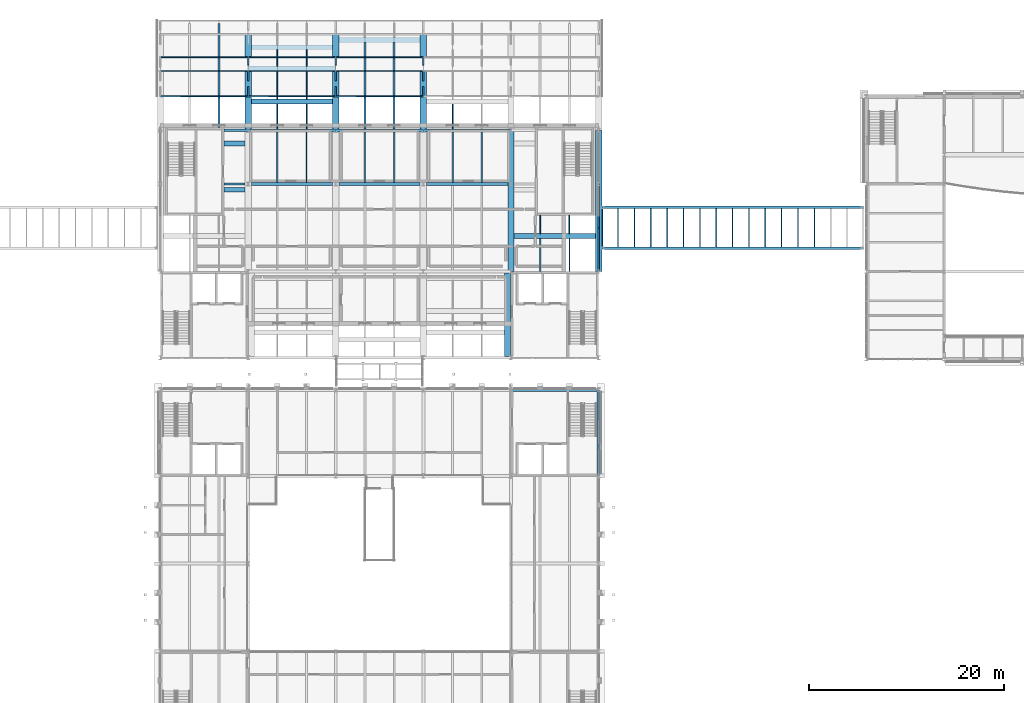
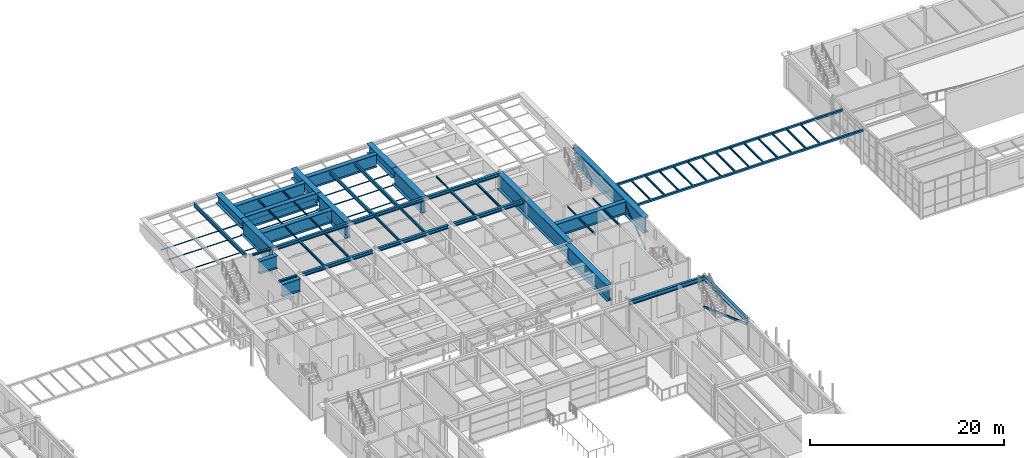
# One storey, part 68 of 153: 60 beams, 23 members.
"""IFC4 building model written with IfcOpenShell, lengths in metres."""

from ifc_helpers import new_model, si_unit, direction, frame, origin, origin_2d, place, context, subcontext, project, spatial, hollow_rectangle, i_section, extrude, material, material_profile, profile_set, type_object, element, save


model = new_model("IFC4")

# Units and contexts
model_context = context("Model", 3, precision=1e-05, world=origin(), true_north=direction((0.0, 1.0)))
body_context = subcontext(model_context, "Body", "Model", "MODEL_VIEW")
ifc_project = project(units=[si_unit("LENGTHUNIT", "METRE"), si_unit("AREAUNIT", "SQUARE_METRE"), si_unit("VOLUMEUNIT", "CUBIC_METRE"), si_unit("PLANEANGLEUNIT", "RADIAN"), si_unit("MASSUNIT", "GRAM", prefix="KILO")], contexts=[model_context])

# Site, building, storey
site_placement = place(None, origin())
site = spatial("IfcSite", under=ifc_project, at=site_placement, CompositionType="ELEMENT")
building_placement = place(site_placement, origin())
building = spatial("IfcBuilding", under=site, at=building_placement, Name="Kallimachos Central Library", CompositionType="ELEMENT")
storey_placement = place(building_placement, frame((0.0, 0.0, 5.39990234375)))
storey = spatial("IfcBuildingStorey", under=building, at=storey_placement, Name="L01", CompositionType="ELEMENT", Elevation=5.39990234375)

# Beams
ifc_material_1 = material(Name="Steel S355K2", Category="steel")
ifc_material_profile_1 = material_profile(ifc_material_1, i_section(OverallWidth=0.64990234375, OverallDepth=1.199951171875, WebThickness=0.02001953125, FlangeThickness=0.054931640625, at=origin_2d()), Name="PG 1200x650-20/55")
ifc_profile_set_1 = profile_set([ifc_material_profile_1], Name="Steel S355K2")
beam_type_1 = type_object("IfcBeamType", Name="Cantilever girder PG 1200x650-20/55", PredefinedType="BEAM", material=ifc_profile_set_1)
for number, where, z_axis, x_axis, name in (
    (1, (74.5, 116.60009765625, 3.7001953125), (0.0, 1.0, 0.0), (-1.0, 0.0, 0.0), "V1-BEM-L01-027"),
    (2, (83.5, 116.60009765625, 3.7001953125), (0.0, 1.0, 0.0), (-1.0, 0.0, 0.0), "V1-BEM-L01-031"),
    (3, (92.5, 116.60009765625, 3.7001953125), (0.0, 1.0, 0.0), (-1.0, 0.0, 0.0), "V1-BEM-L01-035"),
):
    element("IfcBeam", number, at=place(storey_placement, frame(where, z_axis=z_axis, x_axis=x_axis)), inside=storey, type_object=beam_type_1, Name=name, PredefinedType="BEAM", context=body_context, shape_type="SweptSolid", body=[
        extrude(i_section(OverallWidth=0.64990234375, OverallDepth=1.199951171875, WebThickness=0.02001953125, FlangeThickness=0.054931640625, at=origin_2d()), origin(), (0.0, 0.0, 1.0), 5.199951171875),
    ])
ifc_material_2 = material(Name="Steel S355K2", Category="steel")
ifc_material_profile_2 = material_profile(ifc_material_2, i_section(OverallWidth=0.64990234375, OverallDepth=2.0, WebThickness=0.034912109375, FlangeThickness=0.054931640625, at=origin_2d()), Name="PG 2000x650-35/55")
ifc_profile_set_2 = profile_set([ifc_material_profile_2], Name="Steel S355K2")
beam_type_2 = type_object("IfcBeamType", Name="Cantilever girder PG 2000x650-35/55", PredefinedType="BEAM", material=ifc_profile_set_2)
for number, where, z_axis, x_axis, name in (
    (4, (74.5, 110.5, 3.300048828125), (0.0, 1.0, 0.0), (-1.0, 0.0, 0.0), "V1-BEM-L01-026"),
    (5, (83.5, 110.5, 3.300048828125), (0.0, 1.0, 0.0), (-1.0, 0.0, 0.0), "V1-BEM-L01-030"),
    (6, (92.5, 110.5, 3.300048828125), (0.0, 1.0, 0.0), (-1.0, 0.0, 0.0), "V1-BEM-L01-034"),
):
    element("IfcBeam", number, at=place(storey_placement, frame(where, z_axis=z_axis, x_axis=x_axis)), inside=storey, type_object=beam_type_2, Name=name, PredefinedType="BEAM", context=body_context, shape_type="SweptSolid", body=[
        extrude(i_section(OverallWidth=0.64990234375, OverallDepth=2.0, WebThickness=0.034912109375, FlangeThickness=0.054931640625, at=origin_2d()), origin(), (0.0, 0.0, 1.0), 6.10009765625),
    ])
ifc_material_3 = material(Name="Steel S355J2", Category="steel")
ifc_material_profile_3 = material_profile(ifc_material_3, i_section(OverallWidth=0.239990234375, OverallDepth=0.22998046875, WebThickness=0.007568359375, FlangeThickness=0.011962890625, FilletRadius=0.02099609375, at=origin_2d()), Name="HEA 240")
ifc_profile_set_3 = profile_set([ifc_material_profile_3], Name="Steel S355J2")
beam_type_3 = type_object("IfcBeamType", Name="HEA 240 beam", PredefinedType="BEAM", material=ifc_profile_set_3)
beam_1_placement = place(storey_placement, frame((72.0048828125, 105.0, 4.18505859375), z_axis=(1.0, 0.0, 0.0), x_axis=(0.0, 1.0, 0.0)))
element("IfcBeam", 7, at=beam_1_placement, inside=storey, type_object=beam_type_3, Name="V1-BEM-L01-049", PredefinedType="BEAM", context=body_context, shape_type="SweptSolid", body=[
    extrude(i_section(OverallWidth=0.239990234375, OverallDepth=0.22998046875, WebThickness=0.007568359375, FlangeThickness=0.011962890625, FilletRadius=0.02099609375, at=origin_2d()), origin(), (0.0, 0.0, 1.0), 2.170166015625),
])
beam_2_placement = place(storey_placement, frame((72.0048828125, 110.5, 4.18505859375), z_axis=(1.0, 0.0, 0.0), x_axis=(0.0, 1.0, 0.0)))
element("IfcBeam", 8, at=beam_2_placement, inside=storey, type_object=beam_type_3, Name="V1-BEM-L01-054", PredefinedType="BEAM", context=body_context, shape_type="SweptSolid", body=[
    extrude(i_section(OverallWidth=0.239990234375, OverallDepth=0.22998046875, WebThickness=0.007568359375, FlangeThickness=0.011962890625, FilletRadius=0.02099609375, at=origin_2d()), origin(), (0.0, 0.0, 1.0), 2.4951171875),
])
ifc_material_4 = material(Name="Steel S355J2", Category="steel")
ifc_material_profile_4 = material_profile(ifc_material_4, i_section(OverallWidth=0.300048828125, OverallDepth=0.43994140625, WebThickness=0.011474609375, FlangeThickness=0.02099609375, FilletRadius=0.027099609375, at=origin_2d()), Name="HEA 450")
ifc_profile_set_4 = profile_set([ifc_material_profile_4], Name="Steel S355J2")
beam_type_4 = type_object("IfcBeamType", Name="HEA 450 beam", PredefinedType="BEAM", material=ifc_profile_set_4)
for number, where, z_axis, x_axis, name in (
    (9, (74.824951171875, 105.0, 4.080078125), (1.0, 0.0, 0.0), (0.0, 1.0, 0.0), "V1-BEM-L01-050"),
    (10, (83.824951171875, 105.0, 4.080078125), (1.0, 0.0, 0.0), (0.0, 1.0, 0.0), "V1-BEM-L01-051"),
    (11, (92.824951171875, 105.0, 4.080078125), (1.0, 0.0, 0.0), (0.0, 1.0, 0.0), "V1-BEM-L01-052"),
):
    element("IfcBeam", number, at=place(storey_placement, frame(where, z_axis=z_axis, x_axis=x_axis)), inside=storey, type_object=beam_type_4, Name=name, PredefinedType="BEAM", context=body_context, shape_type="SweptSolid", body=[
        extrude(i_section(OverallWidth=0.300048828125, OverallDepth=0.43994140625, WebThickness=0.011474609375, FlangeThickness=0.02099609375, FilletRadius=0.027099609375, at=origin_2d()), origin(), (0.0, 0.0, 1.0), 8.35009765625),
    ])
for number, where, z_axis, x_axis, name in (
    (12, (74.5, 110.5, 4.080078125), (1.0, 0.0, 0.0), (0.0, 1.0, 0.0), "V1-BEM-L01-055"),
    (13, (83.5, 110.5, 4.080078125), (1.0, 0.0, 0.0), (0.0, 1.0, 0.0), "V1-BEM-L01-056"),
    (14, (92.5, 110.5, 4.080078125), (1.0, 0.0, 0.0), (0.0, 1.0, 0.0), "V1-BEM-L01-057"),
):
    element("IfcBeam", number, at=place(storey_placement, frame(where, z_axis=z_axis, x_axis=x_axis)), inside=storey, type_object=beam_type_4, Name=name, PredefinedType="BEAM", context=body_context, shape_type="SweptSolid", body=[
        extrude(i_section(OverallWidth=0.300048828125, OverallDepth=0.43994140625, WebThickness=0.011474609375, FlangeThickness=0.02099609375, FilletRadius=0.027099609375, at=origin_2d()), origin(), (0.0, 0.0, 1.0), 9.0),
    ])
ifc_material_5 = material(Name="Steel S355J2", Category="steel")
ifc_material_profile_5 = material_profile(ifc_material_5, i_section(OverallWidth=0.300048828125, OverallDepth=0.550048828125, WebThickness=0.014892578125, FlangeThickness=0.029052734375, FilletRadius=0.027099609375, at=origin_2d()), Name="HEB 550")
ifc_profile_set_5 = profile_set([ifc_material_profile_5], Name="Steel S355J2")
beam_type_5 = type_object("IfcBeamType", Name="HEB 550 beam", PredefinedType="BEAM", material=ifc_profile_set_5)
beam_3_placement = place(storey_placement, frame((101.5, 83.85009765625, 4.025146484375), z_axis=(1.0, 0.0, 0.0), x_axis=(0.0, 1.0, 0.0)))
element("IfcBeam", 15, at=beam_3_placement, inside=storey, type_object=beam_type_5, Name="V4-BEM-L01-008", PredefinedType="BEAM", context=body_context, shape_type="SweptSolid", body=[
    extrude(i_section(OverallWidth=0.300048828125, OverallDepth=0.550048828125, WebThickness=0.014892578125, FlangeThickness=0.029052734375, FilletRadius=0.027099609375, at=origin_2d()), origin(), (0.0, 0.0, 1.0), 9.0),
])
beam_4_placement = place(storey_placement, frame((110.5, 75.0, 4.025146484375), z_axis=(0.0, 1.0, 0.0), x_axis=(-1.0, 0.0, 0.0)))
element("IfcBeam", 16, at=beam_4_placement, inside=storey, type_object=beam_type_5, Name="V4-BEM-L01-014", PredefinedType="BEAM", context=body_context, shape_type="SweptSolid", body=[
    extrude(i_section(OverallWidth=0.300048828125, OverallDepth=0.550048828125, WebThickness=0.014892578125, FlangeThickness=0.029052734375, FilletRadius=0.027099609375, at=origin_2d()), origin(), (0.0, 0.0, 1.0), 8.85009765625),
])
ifc_material_6 = material(Name="Steel S355J2", Category="steel")
ifc_material_profile_6 = material_profile(ifc_material_6, i_section(OverallWidth=0.10009765625, OverallDepth=0.199951171875, WebThickness=0.005615234375, FlangeThickness=0.008544921875, FilletRadius=0.011962890625, at=origin_2d()), Name="IPE 200")
ifc_profile_set_6 = profile_set([ifc_material_profile_6], Name="Steel S355J2")
beam_type_6 = type_object("IfcBeamType", Name="IPE 200 beam", PredefinedType="BEAM", material=ifc_profile_set_6)
beam_5_placement = place(storey_placement, frame((77.5, 110.64990234375, 4.2001953125), z_axis=(0.0, 1.0, 0.0), x_axis=(-1.0, 0.0, 0.0)))
element("IfcBeam", 17, at=beam_5_placement, inside=storey, type_object=beam_type_6, Name="V1-BEM-L01-075", PredefinedType="BEAM", context=body_context, shape_type="SweptSolid", body=[
    extrude(i_section(OverallWidth=0.10009765625, OverallDepth=0.199951171875, WebThickness=0.005615234375, FlangeThickness=0.008544921875, FilletRadius=0.011962890625, at=origin_2d()), origin(), (0.0, 0.0, 1.0), 2.552001953125),
])
beam_6_placement = place(storey_placement, frame((77.5, 113.701904296875, 4.2001953125), z_axis=(0.0, 1.0, 0.0), x_axis=(-1.0, 0.0, 0.0)))
element("IfcBeam", 18, at=beam_6_placement, inside=storey, type_object=beam_type_6, Name="V1-BEM-L01-076", PredefinedType="BEAM", context=body_context, shape_type="SweptSolid", body=[
    extrude(i_section(OverallWidth=0.10009765625, OverallDepth=0.199951171875, WebThickness=0.005615234375, FlangeThickness=0.008544921875, FilletRadius=0.011962890625, at=origin_2d()), origin(), (0.0, 0.0, 1.0), 2.906982421875),
])
beam_7_placement = place(storey_placement, frame((77.5, 117.10888671875, 4.2001953125), z_axis=(0.0, 1.0, 0.0), x_axis=(-1.0, 0.0, 0.0)))
element("IfcBeam", 19, at=beam_7_placement, inside=storey, type_object=beam_type_6, Name="V1-BEM-L01-077", PredefinedType="BEAM", context=body_context, shape_type="SweptSolid", body=[
    extrude(i_section(OverallWidth=0.10009765625, OverallDepth=0.199951171875, WebThickness=0.005615234375, FlangeThickness=0.008544921875, FilletRadius=0.011962890625, at=origin_2d()), origin(), (0.0, 0.0, 1.0), 1.6875),
])
beam_8_placement = place(storey_placement, frame((80.5, 110.64990234375, 4.2001953125), z_axis=(0.0, 1.0, 0.0), x_axis=(-1.0, 0.0, 0.0)))
element("IfcBeam", 20, at=beam_8_placement, inside=storey, type_object=beam_type_6, Name="V1-BEM-L01-084", PredefinedType="BEAM", context=body_context, shape_type="SweptSolid", body=[
    extrude(i_section(OverallWidth=0.10009765625, OverallDepth=0.199951171875, WebThickness=0.005615234375, FlangeThickness=0.008544921875, FilletRadius=0.011962890625, at=origin_2d()), origin(), (0.0, 0.0, 1.0), 2.552001953125),
])
beam_9_placement = place(storey_placement, frame((80.5, 113.701904296875, 4.2001953125), z_axis=(0.0, 1.0, 0.0), x_axis=(-1.0, 0.0, 0.0)))
element("IfcBeam", 21, at=beam_9_placement, inside=storey, type_object=beam_type_6, Name="V1-BEM-L01-085", PredefinedType="BEAM", context=body_context, shape_type="SweptSolid", body=[
    extrude(i_section(OverallWidth=0.10009765625, OverallDepth=0.199951171875, WebThickness=0.005615234375, FlangeThickness=0.008544921875, FilletRadius=0.011962890625, at=origin_2d()), origin(), (0.0, 0.0, 1.0), 2.906982421875),
])
beam_10_placement = place(storey_placement, frame((80.5, 117.10888671875, 4.2001953125), z_axis=(0.0, 1.0, 0.0), x_axis=(-1.0, 0.0, 0.0)))
element("IfcBeam", 22, at=beam_10_placement, inside=storey, type_object=beam_type_6, Name="V1-BEM-L01-086", PredefinedType="BEAM", context=body_context, shape_type="SweptSolid", body=[
    extrude(i_section(OverallWidth=0.10009765625, OverallDepth=0.199951171875, WebThickness=0.005615234375, FlangeThickness=0.008544921875, FilletRadius=0.011962890625, at=origin_2d()), origin(), (0.0, 0.0, 1.0), 1.6875),
])
beam_11_placement = place(storey_placement, frame((95.5, 110.64990234375, 4.2001953125), z_axis=(0.0, 1.0, 0.0), x_axis=(-1.0, 0.0, 0.0)))
element("IfcBeam", 23, at=beam_11_placement, inside=storey, type_object=beam_type_6, Name="V1-BEM-L01-105", PredefinedType="BEAM", context=body_context, shape_type="SweptSolid", body=[
    extrude(i_section(OverallWidth=0.10009765625, OverallDepth=0.199951171875, WebThickness=0.005615234375, FlangeThickness=0.008544921875, FilletRadius=0.011962890625, at=origin_2d()), origin(), (0.0, 0.0, 1.0), 2.552001953125),
])
for number, where, z_axis, x_axis, name in (
    (24, (104.5, 99.89111328125, 4.2001953125), (0.0, 1.0, 0.0), (-1.0, 0.0, 0.0), "V1-BEM-L01-119"),
    (25, (107.5, 99.89111328125, 4.2001953125), (0.0, 1.0, 0.0), (-1.0, 0.0, 0.0), "V1-BEM-L01-122"),
):
    element("IfcBeam", number, at=place(storey_placement, frame(where, z_axis=z_axis, x_axis=x_axis)), inside=storey, type_object=beam_type_6, Name=name, PredefinedType="BEAM", context=body_context, shape_type="SweptSolid", body=[
        extrude(i_section(OverallWidth=0.10009765625, OverallDepth=0.199951171875, WebThickness=0.005615234375, FlangeThickness=0.008544921875, FilletRadius=0.011962890625, at=origin_2d()), origin(), (0.0, 0.0, 1.0), 1.87890625),
    ])
ifc_material_7 = material(Name="Steel S355J2", Category="steel")
ifc_material_profile_7 = material_profile(ifc_material_7, i_section(OverallWidth=0.1201171875, OverallDepth=0.239990234375, WebThickness=0.006103515625, FlangeThickness=0.009765625, FilletRadius=0.014892578125, at=origin_2d()), Name="IPE 240")
ifc_profile_set_7 = profile_set([ifc_material_profile_7], Name="Steel S355J2")
beam_type_7 = type_object("IfcBeamType", Name="IPE 240 beam", PredefinedType="BEAM", material=ifc_profile_set_7)
for number, where, z_axis, x_axis, name in (
    (26, (104.5, 96.0048828125, 4.18017578125), (0.0, 1.0, 0.0), (-1.0, 0.0, 0.0), "V1-BEM-L01-118"),
    (27, (107.5, 96.0048828125, 4.18017578125), (0.0, 1.0, 0.0), (-1.0, 0.0, 0.0), "V1-BEM-L01-121"),
):
    element("IfcBeam", number, at=place(storey_placement, frame(where, z_axis=z_axis, x_axis=x_axis)), inside=storey, type_object=beam_type_7, Name=name, PredefinedType="BEAM", context=body_context, shape_type="SweptSolid", body=[
        extrude(i_section(OverallWidth=0.1201171875, OverallDepth=0.239990234375, WebThickness=0.006103515625, FlangeThickness=0.009765625, FilletRadius=0.014892578125, at=origin_2d()), origin(), (0.0, 0.0, 1.0), 3.38623046875),
    ])
for number, where, z_axis, x_axis, name in (
    (28, (110.885009765625, 98.52490234375, 4.22998046875), (0.0, 1.0, 0.0), (-1.0, 0.0, 0.0), "links-BEM-L01-036"),
    (29, (112.504638671875, 98.52490234375, 4.22998046875), (0.0, 1.0, 0.0), (-1.0, 0.0, 0.0), "links-BEM-L01-037"),
    (30, (114.184326171875, 98.52490234375, 4.22998046875), (0.0, 1.0, 0.0), (-1.0, 0.0, 0.0), "links-BEM-L01-038"),
    (31, (115.864013671875, 98.52490234375, 4.22998046875), (0.0, 1.0, 0.0), (-1.0, 0.0, 0.0), "links-BEM-L01-039"),
    (32, (117.543701171875, 98.52490234375, 4.22998046875), (0.0, 1.0, 0.0), (-1.0, 0.0, 0.0), "links-BEM-L01-040"),
    (33, (119.223388671875, 98.52490234375, 4.22998046875), (0.0, 1.0, 0.0), (-1.0, 0.0, 0.0), "links-BEM-L01-041"),
    (34, (120.903076171875, 98.52490234375, 4.22998046875), (0.0, 1.0, 0.0), (-1.0, 0.0, 0.0), "links-BEM-L01-042"),
    (35, (122.582763671875, 98.52490234375, 4.22998046875), (0.0, 1.0, 0.0), (-1.0, 0.0, 0.0), "links-BEM-L01-043"),
    (36, (124.262451171875, 98.52490234375, 4.22998046875), (0.0, 1.0, 0.0), (-1.0, 0.0, 0.0), "links-BEM-L01-044"),
    (37, (125.942138671875, 98.52490234375, 4.22998046875), (0.0, 1.0, 0.0), (-1.0, 0.0, 0.0), "links-BEM-L01-045"),
    (38, (127.621826171875, 98.52490234375, 4.22998046875), (0.0, 1.0, 0.0), (-1.0, 0.0, 0.0), "links-BEM-L01-046"),
    (39, (129.301513671875, 98.52490234375, 4.22998046875), (0.0, 1.0, 0.0), (-1.0, 0.0, 0.0), "links-BEM-L01-047"),
    (40, (130.981201171875, 98.52490234375, 4.22998046875), (0.0, 1.0, 0.0), (-1.0, 0.0, 0.0), "links-BEM-L01-048"),
    (41, (132.660888671875, 98.52490234375, 4.22998046875), (0.0, 1.0, 0.0), (-1.0, 0.0, 0.0), "links-BEM-L01-049"),
):
    element("IfcBeam", number, at=place(storey_placement, frame(where, z_axis=z_axis, x_axis=x_axis)), inside=storey, type_object=beam_type_7, Name=name, PredefinedType="BEAM", context=body_context, shape_type="SweptSolid", body=[
        extrude(i_section(OverallWidth=0.1201171875, OverallDepth=0.239990234375, WebThickness=0.006103515625, FlangeThickness=0.009765625, FilletRadius=0.014892578125, at=origin_2d()), origin(), (0.0, 0.0, 1.0), 3.9501953125),
    ])
ifc_material_8 = material(Name="Steel S355J2", Category="steel")
ifc_material_profile_8 = material_profile(ifc_material_8, i_section(OverallWidth=0.14990234375, OverallDepth=0.300048828125, WebThickness=0.007080078125, FlangeThickness=0.0107421875, FilletRadius=0.014892578125, at=origin_2d()), Name="IPE 300")
ifc_profile_set_8 = profile_set([ifc_material_profile_8], Name="Steel S355J2")
beam_type_8 = type_object("IfcBeamType", Name="IPE 300 beam", PredefinedType="BEAM", material=ifc_profile_set_8)
for number, where, z_axis, x_axis, name in (
    (42, (77.5, 105.14990234375, 4.150146484375), (0.0, 1.0, 0.0), (-1.0, 0.0, 0.0), "V1-BEM-L01-074"),
    (43, (80.5, 105.14990234375, 4.150146484375), (0.0, 1.0, 0.0), (-1.0, 0.0, 0.0), "V1-BEM-L01-083"),
    (44, (86.5, 105.14990234375, 4.150146484375), (0.0, 1.0, 0.0), (-1.0, 0.0, 0.0), "V1-BEM-L01-091"),
    (45, (89.5, 105.14990234375, 4.150146484375), (0.0, 1.0, 0.0), (-1.0, 0.0, 0.0), "V1-BEM-L01-097"),
    (46, (95.5, 105.14990234375, 4.150146484375), (0.0, 1.0, 0.0), (-1.0, 0.0, 0.0), "V1-BEM-L01-104"),
    (47, (98.5, 105.14990234375, 4.150146484375), (0.0, 1.0, 0.0), (-1.0, 0.0, 0.0), "V1-BEM-L01-113"),
):
    element("IfcBeam", number, at=place(storey_placement, frame(where, z_axis=z_axis, x_axis=x_axis)), inside=storey, type_object=beam_type_8, Name=name, PredefinedType="BEAM", context=body_context, shape_type="SweptSolid", body=[
        extrude(i_section(OverallWidth=0.14990234375, OverallDepth=0.300048828125, WebThickness=0.007080078125, FlangeThickness=0.0107421875, FilletRadius=0.014892578125, at=origin_2d()), origin(), (0.0, 0.0, 1.0), 5.2001953125),
    ])
ifc_material_9 = material(Name="Steel S355J2", Category="steel")
ifc_material_profile_9 = material_profile(ifc_material_9, i_section(OverallWidth=0.18994140625, OverallDepth=0.449951171875, WebThickness=0.009521484375, FlangeThickness=0.0146484375, FilletRadius=0.02099609375, at=origin_2d()), Name="IPE 450")
ifc_profile_set_9 = profile_set([ifc_material_profile_9], Name="Steel S355J2")
beam_type_9 = type_object("IfcBeamType", Name="IPE 450 beam", PredefinedType="BEAM", material=ifc_profile_set_9)
for number, where, z_axis, x_axis, name in (
    (48, (86.5, 110.64990234375, 4.0751953125), (0.0, 1.0, 0.0), (-1.0, 0.0, 0.0), "V1-BEM-L01-092"),
    (49, (89.5, 110.64990234375, 4.0751953125), (0.0, 1.0, 0.0), (-1.0, 0.0, 0.0), "V1-BEM-L01-098"),
):
    element("IfcBeam", number, at=place(storey_placement, frame(where, z_axis=z_axis, x_axis=x_axis)), inside=storey, type_object=beam_type_9, Name=name, PredefinedType="BEAM", context=body_context, shape_type="SweptSolid", body=[
        extrude(i_section(OverallWidth=0.18994140625, OverallDepth=0.449951171875, WebThickness=0.009521484375, FlangeThickness=0.0146484375, FilletRadius=0.02099609375, at=origin_2d()), origin(), (0.0, 0.0, 1.0), 8.900146484375),
    ])
ifc_material_10 = material(Name="Steel S355J2", Category="steel")
ifc_material_profile_10 = material_profile(ifc_material_10, i_section(OverallWidth=0.199951171875, OverallDepth=0.5, WebThickness=0.01025390625, FlangeThickness=0.01611328125, FilletRadius=0.02099609375, at=origin_2d()), Name="IPE 500")
ifc_profile_set_10 = profile_set([ifc_material_profile_10], Name="Steel S355J2")
beam_type_10 = type_object("IfcBeamType", Name="IPE 500 beam", PredefinedType="BEAM", material=ifc_profile_set_10)
beam_12_placement = place(storey_placement, frame((71.5, 110.780029296875, 4.050048828125), z_axis=(0.0, 1.0, 0.0), x_axis=(-1.0, 0.0, 0.0)))
element("IfcBeam", 50, at=beam_12_placement, inside=storey, type_object=beam_type_10, Name="V1-BEM-L01-069", PredefinedType="BEAM", context=body_context, shape_type="SweptSolid", body=[
    extrude(i_section(OverallWidth=0.199951171875, OverallDepth=0.5, WebThickness=0.01025390625, FlangeThickness=0.01611328125, FilletRadius=0.02099609375, at=origin_2d()), origin(), (0.0, 0.0, 1.0), 10.719970703125),
])
ifc_material_11 = material(Name="Steel S355K2", Category="steel")
ifc_material_profile_11 = material_profile(ifc_material_11, i_section(OverallWidth=0.64990234375, OverallDepth=2.0, WebThickness=0.034912109375, FlangeThickness=0.054931640625, at=origin_2d()), Name="PG 2000x650-35/55")
ifc_profile_set_11 = profile_set([ifc_material_profile_11], Name="Steel S355K2")
beam_type_11 = type_object("IfcBeamType", Name="PG 2000x650-35/55 beam", PredefinedType="BEAM", material=ifc_profile_set_11)
beam_13_placement = place(storey_placement, frame((101.14990234375, 87.300048828125, 3.300048828125), z_axis=(0.0, 1.0, 0.0), x_axis=(-1.0, 0.0, 0.0)))
element("IfcBeam", 51, at=beam_13_placement, inside=storey, type_object=beam_type_11, Name="V1-BEM-L01-036", PredefinedType="BEAM", context=body_context, shape_type="SweptSolid", body=[
    extrude(i_section(OverallWidth=0.64990234375, OverallDepth=2.0, WebThickness=0.034912109375, FlangeThickness=0.054931640625, at=origin_2d()), origin(), (0.0, 0.0, 1.0), 8.550048828125),
])
for number, where, z_axis, x_axis, name in (
    (52, (101.5, 96.0, 3.300048828125), (0.0, 1.0, 0.0), (-1.0, 0.0, 0.0), "V1-BEM-L01-037"),
    (53, (110.5, 96.0, 3.300048828125), (0.0, 1.0, 0.0), (-1.0, 0.0, 0.0), "V1-BEM-L01-040"),
):
    element("IfcBeam", number, at=place(storey_placement, frame(where, z_axis=z_axis, x_axis=x_axis)), inside=storey, type_object=beam_type_11, Name=name, PredefinedType="BEAM", context=body_context, shape_type="SweptSolid", body=[
        extrude(i_section(OverallWidth=0.64990234375, OverallDepth=2.0, WebThickness=0.034912109375, FlangeThickness=0.054931640625, at=origin_2d()), origin(), (0.0, 0.0, 1.0), 14.5),
    ])

# Members
ifc_material_12 = material(Name="Steel S355J2H", Category="steel")
ifc_material_profile_12 = material_profile(ifc_material_12, hollow_rectangle(XDim=0.14990234375, YDim=0.25, WallThickness=0.010009765625, InnerFilletRadius=0.010009765625, OuterFilletRadius=0.014892578125, at=origin_2d()), Name="RHS 250x150x10")
ifc_profile_set_12 = profile_set([ifc_material_profile_12], Name="Steel S355J2H")
member_type_1 = type_object("IfcMemberType", Name="RHS 250x150x10 brace", PredefinedType="BRACE", material=ifc_profile_set_12)
member_placement = place(storey_placement, frame((110.39990234375, 83.85009765625, 0.400146484375), z_axis=(0.0, -0.94041523715, 0.340028207264), x_axis=(1.0, 0.0, 0.0)))
element("IfcMember", 54, at=member_placement, inside=storey, type_object=member_type_1, Name="V4-MEM-L01-002", PredefinedType="BRACE", context=body_context, shape_type="SweptSolid", body=[
    extrude(hollow_rectangle(XDim=0.14990234375, YDim=0.25, WallThickness=0.010009765625, InnerFilletRadius=0.010009765625, OuterFilletRadius=0.014892578125, at=origin_2d()), origin(), (0.0, 0.0, 1.0), 9.410888671875),
])
ifc_material_13 = material(Name="Steel S355J2H", Category="steel")
ifc_material_profile_13 = material_profile(ifc_material_13, hollow_rectangle(XDim=0.14990234375, YDim=0.14990234375, WallThickness=0.010009765625, InnerFilletRadius=0.010009765625, OuterFilletRadius=0.014892578125, at=origin_2d()), Name="SHS 150x150x10")
ifc_profile_set_13 = profile_set([ifc_material_profile_13], Name="Steel S355J2H")
member_type_2 = type_object("IfcMemberType", Name="SHS 150x150x10 brace", PredefinedType="BRACE", material=ifc_profile_set_13)
for number, where, z_axis, x_axis, name in (
    (55, (110.5, 96.0, 0.150146484375), (0.0, 0.789352217376, 0.613940613515), (-1.0, 0.0, 0.0), "Chevron brace 110.5 L01"),
    (56, (110.5, 105.0, 0.150146484375), (0.0, -0.789352217376, 0.613940613515), (1.0, 0.0, 0.0), "Chevron brace 110.5 L01"),
):
    element("IfcMember", number, at=place(storey_placement, frame(where, z_axis=z_axis, x_axis=x_axis)), inside=storey, type_object=member_type_2, Name=name, PredefinedType="BRACE", context=body_context, shape_type="SweptSolid", body=[
        extrude(hollow_rectangle(XDim=0.14990234375, YDim=0.14990234375, WallThickness=0.010009765625, InnerFilletRadius=0.010009765625, OuterFilletRadius=0.014892578125, at=origin_2d()), origin(), (0.0, 0.0, 1.0), 5.700927734375),
    ])
ifc_material_14 = material(Name="Steel S355J2H", Category="steel")
ifc_material_profile_14 = material_profile(ifc_material_14, hollow_rectangle(XDim=0.25, YDim=0.25, WallThickness=0.012451171875, InnerFilletRadius=0.012451171875, OuterFilletRadius=0.018798828125, at=origin_2d()), Name="SHS 250x250x12.5")
ifc_profile_set_14 = profile_set([ifc_material_profile_14], Name="Steel S355J2H")
member_type_3 = type_object("IfcMemberType", Name="SHS 250x250x12.5 chord", PredefinedType="CHORD", material=ifc_profile_set_14)
for number, where, z_axis, x_axis, name in (
    (57, (110.824951171875, 98.39990234375, 4.22509765625), (1.0, 0.0, 0.0), (0.0, 1.0, 0.0), "links-MEM-L01-003"),
    (58, (110.824951171875, 102.60009765625, 4.22509765625), (1.0, 0.0, 0.0), (0.0, 1.0, 0.0), "links-MEM-L01-004"),
):
    element("IfcMember", number, at=place(storey_placement, frame(where, z_axis=z_axis, x_axis=x_axis)), inside=storey, type_object=member_type_3, Name=name, PredefinedType="CHORD", context=body_context, shape_type="SweptSolid", body=[
        extrude(hollow_rectangle(XDim=0.25, YDim=0.25, WallThickness=0.012451171875, InnerFilletRadius=0.012451171875, OuterFilletRadius=0.018798828125, at=origin_2d()), origin(), (0.0, 0.0, 1.0), 26.875),
    ])
ifc_material_15 = material(Name="Steel S355J2H", Category="steel")
ifc_material_profile_15 = material_profile(ifc_material_15, hollow_rectangle(XDim=0.10009765625, YDim=0.10009765625, WallThickness=0.008056640625, InnerFilletRadius=0.008056640625, OuterFilletRadius=0.011962890625, at=origin_2d()), Name="SHS 100x100x8")
ifc_profile_set_15 = profile_set([ifc_material_profile_15], Name="Steel S355J2H")
member_type_4 = type_object("IfcMemberType", Name="Soffit hanger SHS 100x100x8", PredefinedType="POST", material=ifc_profile_set_15)
for number, where, z_axis, x_axis, name in (
    (59, (74.5, 118.02490234375, 2.5537109375), (0.0, -0.81690566231, 0.576771305532), (1.0, 0.0, 0.0), "Soffit hanger 3"),
    (60, (83.5, 118.02490234375, 2.5537109375), (0.0, -0.81690566231, 0.576771305532), (1.0, 0.0, 0.0), "Soffit hanger 3"),
    (61, (92.5, 118.02490234375, 2.5537109375), (0.0, -0.81690566231, 0.576771305532), (1.0, 0.0, 0.0), "Soffit hanger 3"),
):
    element("IfcMember", number, at=place(storey_placement, frame(where, z_axis=z_axis, x_axis=x_axis)), inside=storey, type_object=member_type_4, Name=name, PredefinedType="POST", context=body_context, shape_type="SweptSolid", body=[
        extrude(hollow_rectangle(XDim=0.10009765625, YDim=0.10009765625, WallThickness=0.008056640625, InnerFilletRadius=0.008056640625, OuterFilletRadius=0.011962890625, at=origin_2d()), origin(), (0.0, 0.0, 1.0), 0.97900390625),
    ])
for number, where, z_axis, x_axis, name in (
    (62, (74.5, 116.60009765625, 2.190673828125), (0.0, -0.992920360357, 0.118781976703), (1.0, 0.0, 0.0), "Soffit hanger 4"),
    (63, (83.5, 116.60009765625, 2.190673828125), (0.0, -0.992920360357, 0.118781976703), (1.0, 0.0, 0.0), "Soffit hanger 4"),
    (64, (92.5, 116.60009765625, 2.190673828125), (0.0, -0.992920360357, 0.118781976703), (1.0, 0.0, 0.0), "Soffit hanger 4"),
):
    element("IfcMember", number, at=place(storey_placement, frame(where, z_axis=z_axis, x_axis=x_axis)), inside=storey, type_object=member_type_4, Name=name, PredefinedType="POST", context=body_context, shape_type="SweptSolid", body=[
        extrude(hollow_rectangle(XDim=0.10009765625, YDim=0.10009765625, WallThickness=0.008056640625, InnerFilletRadius=0.008056640625, OuterFilletRadius=0.011962890625, at=origin_2d()), origin(), (0.0, 0.0, 1.0), 1.007080078125),
    ])
for number, where, z_axis, x_axis, name in (
    (65, (74.5, 114.0, 2.1796875), (0.0, 0.991577447063, 0.129515120649), (-1.0, 0.0, 0.0), "Soffit hanger 5"),
    (66, (83.5, 114.0, 2.1796875), (0.0, 0.991577447063, 0.129515120649), (-1.0, 0.0, 0.0), "Soffit hanger 5"),
    (67, (92.5, 114.0, 2.1796875), (0.0, 0.991577447063, 0.129515120649), (-1.0, 0.0, 0.0), "Soffit hanger 5"),
):
    element("IfcMember", number, at=place(storey_placement, frame(where, z_axis=z_axis, x_axis=x_axis)), inside=storey, type_object=member_type_4, Name=name, PredefinedType="POST", context=body_context, shape_type="SweptSolid", body=[
        extrude(hollow_rectangle(XDim=0.10009765625, YDim=0.10009765625, WallThickness=0.008056640625, InnerFilletRadius=0.008056640625, OuterFilletRadius=0.011962890625, at=origin_2d()), origin(), (0.0, 0.0, 1.0), 1.008544921875),
    ])
ifc_material_16 = material(Name="Steel S355J2H", Category="steel")
ifc_material_profile_16 = material_profile(ifc_material_16, hollow_rectangle(XDim=0.080078125, YDim=0.1201171875, WallThickness=0.00634765625, InnerFilletRadius=0.00634765625, OuterFilletRadius=0.009521484375, at=origin_2d()), Name="RHS 120x80x6.3")
ifc_profile_set_16 = profile_set([ifc_material_profile_16], Name="Steel S355J2H")
member_type_5 = type_object("IfcMemberType", Name="Soffit rail RHS 120x80x6.3", PredefinedType="MEMBER", material=ifc_profile_set_16)
for number, where, z_axis, x_axis, name in (
    (68, (65.510009765625, 118.02490234375, 2.511962890625), (1.0, 0.0, 0.0), (0.0, 1.0, 0.0), "Soffit rail 3.1"),
    (69, (74.510009765625, 118.02490234375, 2.511962890625), (1.0, 0.0, 0.0), (0.0, 1.0, 0.0), "Soffit rail 3.2"),
    (70, (83.510009765625, 118.02490234375, 2.511962890625), (1.0, 0.0, 0.0), (0.0, 1.0, 0.0), "Soffit rail 3.3"),
    (71, (65.510009765625, 116.60009765625, 2.140869140625), (1.0, 0.0, 0.0), (0.0, 1.0, 0.0), "Soffit rail 4.1"),
    (72, (74.510009765625, 116.60009765625, 2.140869140625), (1.0, 0.0, 0.0), (0.0, 1.0, 0.0), "Soffit rail 4.2"),
    (73, (83.510009765625, 116.60009765625, 2.140869140625), (1.0, 0.0, 0.0), (0.0, 1.0, 0.0), "Soffit rail 4.3"),
    (74, (65.510009765625, 114.0, 2.130126953125), (1.0, 0.0, 0.0), (0.0, 1.0, 0.0), "Soffit rail 5.1"),
    (75, (74.510009765625, 114.0, 2.130126953125), (1.0, 0.0, 0.0), (0.0, 1.0, 0.0), "Soffit rail 5.2"),
    (76, (83.510009765625, 114.0, 2.130126953125), (1.0, 0.0, 0.0), (0.0, 1.0, 0.0), "Soffit rail 5.3"),
):
    element("IfcMember", number, at=place(storey_placement, frame(where, z_axis=z_axis, x_axis=x_axis)), inside=storey, type_object=member_type_5, Name=name, PredefinedType="MEMBER", context=body_context, shape_type="SweptSolid", body=[
        extrude(hollow_rectangle(XDim=0.080078125, YDim=0.1201171875, WallThickness=0.00634765625, InnerFilletRadius=0.00634765625, OuterFilletRadius=0.009521484375, at=origin_2d()), origin(), (0.0, 0.0, 1.0), 8.97998046875),
    ])

# Beams
ifc_material_17 = material(Name="Steel S355K2", Category="steel")
ifc_material_profile_17 = material_profile(ifc_material_17, i_section(OverallWidth=0.5, OverallDepth=1.60009765625, WebThickness=0.02490234375, FlangeThickness=0.0400390625, at=origin_2d()), Name="PG 1600x500-25/40")
ifc_profile_set_17 = profile_set([ifc_material_profile_17], Name="Steel S355K2")
beam_type_12 = type_object("IfcBeamType", Name="Transfer girder PG 1600", PredefinedType="BEAM", material=ifc_profile_set_17)
for number, where, z_axis, x_axis, name in (
    (77, (83.824951171875, 119.800048828125, 3.5), (1.0, 0.0, 0.0), (0.0, 1.0, 0.0), "V1-BEM-L01-006"),
    (78, (74.824951171875, 119.04638671875, 3.5), (1.0, 0.0, 0.0), (0.0, 1.0, 0.0), "V1-BEM-L01-007"),
):
    element("IfcBeam", number, at=place(storey_placement, frame(where, z_axis=z_axis, x_axis=x_axis)), inside=storey, type_object=beam_type_12, Name=name, PredefinedType="BEAM", context=body_context, shape_type="SweptSolid", body=[
        extrude(i_section(OverallWidth=0.5, OverallDepth=1.60009765625, WebThickness=0.02490234375, FlangeThickness=0.0400390625, at=origin_2d()), origin(), (0.0, 0.0, 1.0), 8.35009765625),
    ])
beam_14_placement = place(storey_placement, frame((74.5, 116.85888671875, 3.5), z_axis=(1.0, 0.0, 0.0), x_axis=(0.0, 1.0, 0.0)))
element("IfcBeam", 79, at=beam_14_placement, inside=storey, type_object=beam_type_12, Name="V1-BEM-L01-008", PredefinedType="BEAM", context=body_context, shape_type="SweptSolid", body=[
    extrude(i_section(OverallWidth=0.5, OverallDepth=1.60009765625, WebThickness=0.02490234375, FlangeThickness=0.0400390625, at=origin_2d()), origin(), (0.0, 0.0, 1.0), 9.0),
])
beam_15_placement = place(storey_placement, frame((74.824951171875, 113.451904296875, 3.5), z_axis=(1.0, 0.0, 0.0), x_axis=(0.0, 1.0, 0.0)))
element("IfcBeam", 80, at=beam_15_placement, inside=storey, type_object=beam_type_12, Name="V1-BEM-L01-009", PredefinedType="BEAM", context=body_context, shape_type="SweptSolid", body=[
    extrude(i_section(OverallWidth=0.5, OverallDepth=1.60009765625, WebThickness=0.02490234375, FlangeThickness=0.0400390625, at=origin_2d()), origin(), (0.0, 0.0, 1.0), 8.35009765625),
])
for number, where, z_axis, x_axis, name in (
    (81, (72.0048828125, 109.158935546875, 3.5), (1.0, 0.0, 0.0), (0.0, 1.0, 0.0), "V1-BEM-L01-010"),
    (82, (72.0048828125, 104.39990234375, 3.5), (1.0, 0.0, 0.0), (0.0, 1.0, 0.0), "V1-BEM-L01-011"),
):
    element("IfcBeam", number, at=place(storey_placement, frame(where, z_axis=z_axis, x_axis=x_axis)), inside=storey, type_object=beam_type_12, Name=name, PredefinedType="BEAM", context=body_context, shape_type="SweptSolid", body=[
        extrude(i_section(OverallWidth=0.5, OverallDepth=1.60009765625, WebThickness=0.02490234375, FlangeThickness=0.0400390625, at=origin_2d()), origin(), (0.0, 0.0, 1.0), 2.170166015625),
    ])
beam_16_placement = place(storey_placement, frame((101.824951171875, 99.64111328125, 3.5), z_axis=(1.0, 0.0, 0.0), x_axis=(0.0, 1.0, 0.0)))
element("IfcBeam", 83, at=beam_16_placement, inside=storey, type_object=beam_type_12, Name="V1-BEM-L01-020", PredefinedType="BEAM", context=body_context, shape_type="SweptSolid", body=[
    extrude(i_section(OverallWidth=0.5, OverallDepth=1.60009765625, WebThickness=0.02490234375, FlangeThickness=0.0400390625, at=origin_2d()), origin(), (0.0, 0.0, 1.0), 8.35009765625),
])

save(model, "model.ifc")
